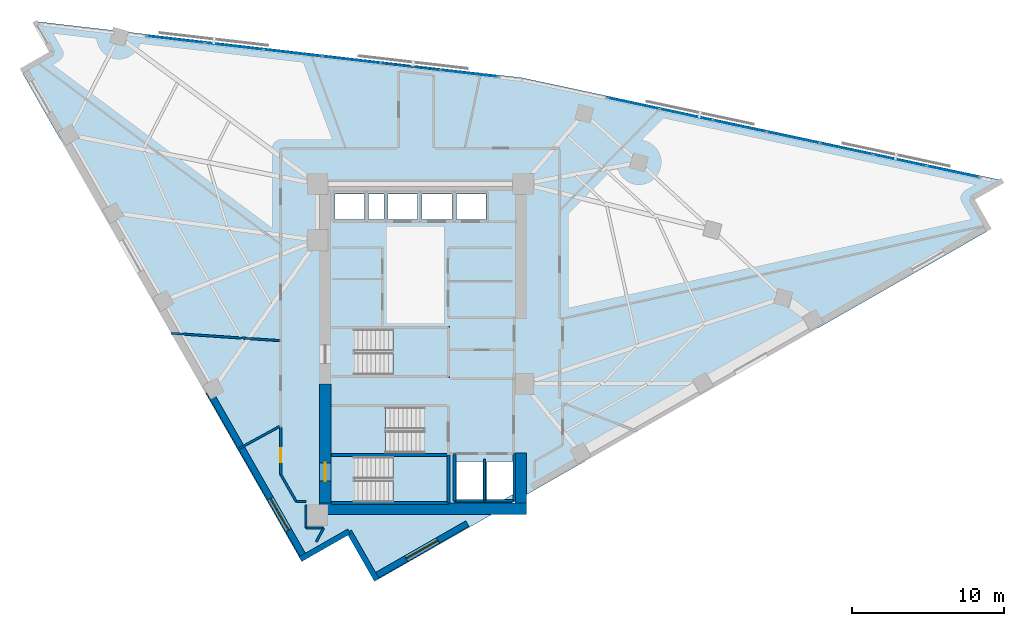
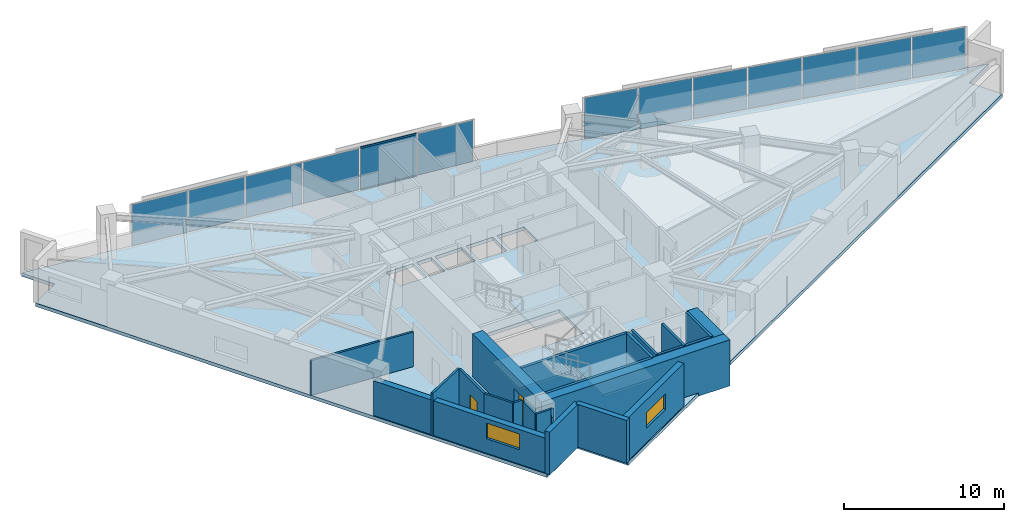
# One storey, part 8 of 13: 22 walls, 13 plates, 4 slabs, 2 doors, 2 members, 2 windows, 4 openings, 5 elements without a shape of their own.
"""IFC4 building model written with IfcOpenShell, lengths in metres."""

import ifcopenshell
import ifcopenshell.guid

model = None  # the IFC model being written
_history = None  # IfcOwnerHistory: only IFC2X3 demands one
_inside = {}  # id of a spatial element -> (the spatial element, [elements in it])
_under = {}  # id of a project, library or spatial element -> (it, [spatial elements below it])
_declared = {}  # id of a project -> (the project, [libraries it declares])
_typed = {}  # id of a type object -> (the type object, [elements of that type])
_made_of = {}  # id of a material, layer set ... -> (it, [elements and type objects made of it])


def new_model(schema):
    """Start an empty IFC model of exactly this schema.

    Asked for "IFC4X3", IfcOpenShell would pick the latest addendum, in which some entities
    have other attributes; the version numbers below select the first issue.
    IFC2X3 requires an IfcOwnerHistory on every rooted entity: one is made here for all.
    """
    global model, _history
    if schema == "IFC4X3":
        model = ifcopenshell.file(schema_version=(4, 3, 0, 0))
    else:
        model = ifcopenshell.file(schema=schema)
    _inside.clear()
    _under.clear()
    _declared.clear()
    _typed.clear()
    _made_of.clear()
    _history = None
    if model.schema == "IFC2X3":
        org = make("IfcOrganization", Name="unknown")
        user = make(
            "IfcPersonAndOrganization",
            ThePerson=make("IfcPerson", FamilyName="unknown"),
            TheOrganization=org,
        )
        app = make(
            "IfcApplication",
            ApplicationDeveloper=org,
            Version="unknown",
            ApplicationFullName="unknown",
            ApplicationIdentifier="unknown",
        )
        _history = make(
            "IfcOwnerHistory",
            OwningUser=user,
            OwningApplication=app,
            ChangeAction="ADDED",
            CreationDate=0,
        )
    return model


def make(cls, **values):
    """One entity of the class cls with the attributes given. An attribute that is None is left unset."""
    return model.create_entity(
        cls, **{name: value for name, value in values.items() if value is not None}
    )


def rooted(cls, **values):
    """An entity with a GlobalId (a new one), such as an element, a storey or a relation."""
    return make(cls, GlobalId=ifcopenshell.guid.new(), OwnerHistory=_history, **values)


def si_unit(unit_type, name, prefix=None):
    """IfcSIUnit, for example si_unit("LENGTHUNIT", "METRE", prefix="MILLI")."""
    return make("IfcSIUnit", UnitType=unit_type, Prefix=prefix, Name=name)


def assignment(units):
    """IfcUnitAssignment: the units of a project."""
    return None if units is None else make("IfcUnitAssignment", Units=units)


def point(xyz):
    """IfcCartesianPoint."""
    return None if xyz is None else make("IfcCartesianPoint", Coordinates=xyz)


def direction(xyz):
    """IfcDirection."""
    return None if xyz is None else make("IfcDirection", DirectionRatios=xyz)


def frame(location, z_axis=None, x_axis=None):
    """IfcAxis2Placement3D, a coordinate frame: its origin and axes. An axis left out is left unset."""
    return make(
        "IfcAxis2Placement3D",
        Location=point(location),
        Axis=direction(z_axis),
        RefDirection=direction(x_axis),
    )


def frame_2d(location, x_axis=None):
    """IfcAxis2Placement2D, a coordinate frame in the plane: its origin and x axis."""
    return make(
        "IfcAxis2Placement2D", Location=point(location), RefDirection=direction(x_axis)
    )


def origin():
    """The frame at (0, 0, 0) with its axes left unset."""
    return frame((0.0, 0.0, 0.0))


def origin_2d():
    """The frame at (0, 0) in the plane with its x axis left unset."""
    return frame_2d((0.0, 0.0))


def place(relative_to, where):
    """IfcLocalPlacement: puts the frame where relative to a parent placement (None: the world)."""
    return make(
        "IfcLocalPlacement", PlacementRelTo=relative_to, RelativePlacement=where
    )


def context(
    kind, dimensions, precision=None, world=None, true_north=None, identifier=None
):
    """IfcGeometricRepresentationContext, for example the 3D "Model" context."""
    return make(
        "IfcGeometricRepresentationContext",
        ContextIdentifier=identifier,
        ContextType=kind,
        CoordinateSpaceDimension=dimensions,
        Precision=precision,
        WorldCoordinateSystem=world,
        TrueNorth=true_north,
    )


def subcontext(parent, identifier, kind, view, scale=None):
    """IfcGeometricRepresentationSubContext, for example "Body" below "Model"."""
    return make(
        "IfcGeometricRepresentationSubContext",
        ContextIdentifier=identifier,
        ContextType=kind,
        ParentContext=parent,
        TargetScale=scale,
        TargetView=view,
    )


def project(units=None, contexts=None):
    """IfcProject with its units and contexts."""
    return rooted(
        "IfcProject",
        Name="project",
        RepresentationContexts=contexts,
        UnitsInContext=assignment(units),
    )


def spatial(cls, under=None, at=None, **own):
    """A site, building, storey or space (cls), placed at a placement, below another one or the project."""
    s = rooted(cls, ObjectPlacement=at, **own)
    if under is not None:
        _under.setdefault(under.id(), (under, []))[1].append(s)
    return s


def polyline(points):
    """IfcPolyline through the points."""
    return make("IfcPolyline", Points=[point(p) for p in points])


def profile(cls, at=None, kind="AREA", **sizes):
    """A parametric profile (cls). Its sizes go by their IFC names, for example OverallWidth=200.0."""
    return make(cls, ProfileType=kind, Position=at, **sizes)


def rectangle(**sizes):
    """IfcRectangleProfileDef."""
    return profile("IfcRectangleProfileDef", **sizes)


def hollow_rectangle(**sizes):
    """IfcRectangleHollowProfileDef."""
    return profile("IfcRectangleHollowProfileDef", **sizes)


def outline(outer, holes=None, kind="AREA"):
    """IfcArbitraryClosedProfileDef: a profile drawn as a closed curve; with holes, ...WithVoids."""
    if holes is None:
        return make("IfcArbitraryClosedProfileDef", ProfileType=kind, OuterCurve=outer)
    return make(
        "IfcArbitraryProfileDefWithVoids",
        ProfileType=kind,
        OuterCurve=outer,
        InnerCurves=holes,
    )


def extrude(swept, where, along, depth):
    """IfcExtrudedAreaSolid: the profile swept, set in the frame where, extruded along a direction by depth."""
    return make(
        "IfcExtrudedAreaSolid",
        SweptArea=swept,
        Position=where,
        ExtrudedDirection=direction(along),
        Depth=depth,
    )


def shape(context_of_items, identifier, shape_type, items):
    """IfcShapeRepresentation: the items that make up one representation, for example the "Body"."""
    return make(
        "IfcShapeRepresentation",
        ContextOfItems=context_of_items,
        RepresentationIdentifier=identifier,
        RepresentationType=shape_type,
        Items=items,
    )


def material(Name=None, Category=None):
    """IfcMaterial."""
    return make("IfcMaterial", Name=Name, Category=Category)


def layer(
    of_material, thickness, ventilated=None, Name=None, Category=None, Priority=None
):
    """IfcMaterialLayer: one layer of a wall or slab, of a material (None: an air gap)."""
    return make(
        "IfcMaterialLayer",
        Material=of_material,
        LayerThickness=thickness,
        IsVentilated=ventilated,
        Name=Name,
        Category=Category,
        Priority=Priority,
    )


def layer_set(layers, Name=None):
    """IfcMaterialLayerSet."""
    return make("IfcMaterialLayerSet", MaterialLayers=layers, LayerSetName=Name)


def material_profile(
    of_material, cross_section, Name=None, Category=None, Priority=None
):
    """IfcMaterialProfile: a cross section and its material."""
    return make(
        "IfcMaterialProfile",
        Name=Name,
        Material=of_material,
        Profile=cross_section,
        Priority=Priority,
        Category=Category,
    )


def profile_set(profiles, Name=None, composite=None):
    """IfcMaterialProfileSet."""
    return make(
        "IfcMaterialProfileSet",
        Name=Name,
        MaterialProfiles=profiles,
        CompositeProfile=composite,
    )


def made_of(thing, what):
    """Note that an element or type object is made of a material, layer set ...; save() writes the relation."""
    if what is not None:
        _made_of.setdefault(what.id(), (what, []))[1].append(thing)
    return thing


def type_object(cls, material=None, **own):
    """A type object (cls), such as IfcWallType, which elements share."""
    return made_of(rooted(cls, **own), material)


def element(
    cls,
    number,
    at=None,
    inside=None,
    cuts=None,
    type_object=None,
    material=None,
    context=None,
    identifier="Body",
    shape_type=None,
    held_by="IfcProductDefinitionShape",
    body=None,
    shapes=None,
    **own,
):
    """One element of the class cls, such as IfcWall. Its Tag is "e" and its number.

    at: its placement. inside: the storey or other place that contains it. cuts: it is an
    opening in that element (IfcRelVoidsElement). A single representation is given by context,
    identifier, shape_type and body (its items); several are given by shapes. held_by: the class
    of the entity that holds the representations. save() writes the other relations.
    """
    e = rooted(cls, Tag="e%d" % number, ObjectPlacement=at, **own)
    if body is not None:
        shapes = [shape(context, identifier, shape_type, body)]
    if shapes is not None:
        e.Representation = make(held_by, Representations=shapes)
    if inside is not None:
        _inside.setdefault(inside.id(), (inside, []))[1].append(e)
    if cuts is not None:
        rooted(
            "IfcRelVoidsElement", RelatingBuildingElement=cuts, RelatedOpeningElement=e
        )
    if type_object is not None:
        _typed.setdefault(type_object.id(), (type_object, []))[1].append(e)
    return made_of(e, material)


def fill(opening, filler):
    """IfcRelFillsElement: the door or window that sits in an opening."""
    return rooted(
        "IfcRelFillsElement",
        RelatingOpeningElement=opening,
        RelatedBuildingElement=filler,
    )


def aggregate(whole, parts):
    """IfcRelAggregates: a whole, such as a stair, and the parts it consists of."""
    return rooted("IfcRelAggregates", RelatingObject=whole, RelatedObjects=parts)


def save(model, path):
    """Write the relations noted so far, then the file.

    IfcRelAggregates (storeys below a building ...), IfcRelContainedInSpatialStructure (elements
    in a storey), IfcRelDefinesByType, IfcRelAssociatesMaterial and IfcRelDeclares: one each for
    every whole, place, type object, material and project.
    """
    for whole, parts in _under.values():
        aggregate(whole, parts)
    for where, things in _inside.values():
        rooted(
            "IfcRelContainedInSpatialStructure",
            RelatedElements=things,
            RelatingStructure=where,
        )
    for kind, things in _typed.values():
        rooted("IfcRelDefinesByType", RelatedObjects=things, RelatingType=kind)
    for what, things in _made_of.values():
        rooted("IfcRelAssociatesMaterial", RelatedObjects=things, RelatingMaterial=what)
    for by, libraries in _declared.values():
        rooted("IfcRelDeclares", RelatingContext=by, RelatedDefinitions=libraries)
    model.write(path)


model = new_model("IFC4")

# Units and contexts
model_context = context("Model", 3, precision=1e-05, world=origin(), true_north=direction((0.0, 1.0)))
body_context = subcontext(model_context, "Body", "Model", "MODEL_VIEW")
ifc_project = project(units=[si_unit("LENGTHUNIT", "METRE"), si_unit("AREAUNIT", "SQUARE_METRE"), si_unit("VOLUMEUNIT", "CUBIC_METRE"), si_unit("PLANEANGLEUNIT", "RADIAN"), si_unit("MASSUNIT", "GRAM", prefix="KILO")], contexts=[model_context])

# Site, building, storey
site_placement = place(None, origin())
site = spatial("IfcSite", under=ifc_project, at=site_placement, CompositionType="ELEMENT")
building_placement = place(site_placement, origin())
building = spatial("IfcBuilding", under=site, at=building_placement, Name="Narakoshi Arena Tower", CompositionType="ELEMENT")
storey_placement = place(building_placement, frame((0.0, 0.0, 222.02001953125)))
storey = spatial("IfcBuildingStorey", under=building, at=storey_placement, Name="L60", CompositionType="ELEMENT", Elevation=222.02001953125)

# Curtain wall, members
ifc_material_1 = material(Name="Anodised bronze aluminium 6063-T6", Category="aluminium")
curtain_wall_type = type_object("IfcCurtainWallType", Name="CW-HYP-MID", PredefinedType="NOTDEFINED", material=ifc_material_1)
curtain_wall_1_placement = place(storey_placement, origin())
curtain_wall_1 = element("IfcCurtainWall", 1, at=curtain_wall_1_placement, inside=storey, type_object=curtain_wall_type, Name="L60 Folded Hypotenuse Curtain Wall 2-1", PredefinedType="NOTDEFINED")
ifc_material_profile = material_profile(ifc_material_1, hollow_rectangle(XDim=0.06494140625, YDim=0.1298828125, WallThickness=0.00390625, OuterFilletRadius=0.0048828125, at=origin_2d()), Name="TRN130x65x4")
ifc_profile_set = profile_set([ifc_material_profile], Name="Anodised bronze aluminium 6063-T6")
member_type = type_object("IfcMemberType", Name="MEM-TRN-130", PredefinedType="USERDEFINED", material=ifc_profile_set)
member_1_placement = place(storey_placement, frame((80.032470703125, 64.002685546875, 0.032470703125), z_axis=(-0.993360986362, 0.115038909828, 0.0), x_axis=(-0.115038909828, -0.993360986362, 0.0)))
member_1 = element("IfcMember", 2, at=member_1_placement, type_object=member_type, Name="CW-02 transom 2.1", ObjectType="TRANSOM", PredefinedType="USERDEFINED", context=body_context, shape_type="SweptSolid", body=[
    extrude(hollow_rectangle(XDim=0.06494140625, YDim=0.1298828125, WallThickness=0.00390625, OuterFilletRadius=0.0048828125, at=origin_2d()), origin(), (0.0, 0.0, 1.0), 3.820068359375),
])
member_2_placement = place(storey_placement, frame((80.032470703125, 64.002685546875, 3.2275390625), z_axis=(-0.993360986362, 0.115038909828, 0.0), x_axis=(-0.115038909828, -0.993360986362, 0.0)))
member_2 = element("IfcMember", 3, at=member_2_placement, type_object=member_type, Name="CW-02 transom 2.2", ObjectType="TRANSOM", PredefinedType="USERDEFINED", context=body_context, shape_type="SweptSolid", body=[
    extrude(hollow_rectangle(XDim=0.06494140625, YDim=0.1298828125, WallThickness=0.00390625, OuterFilletRadius=0.0048828125, at=origin_2d()), origin(), (0.0, 0.0, 1.0), 3.820068359375),
])

# Curtain wall, plates
curtain_wall_2_placement = place(storey_placement, origin())
curtain_wall_2 = element("IfcCurtainWall", 4, at=curtain_wall_2_placement, inside=storey, type_object=curtain_wall_type, Name="L60 Folded Hypotenuse Curtain Wall 1-1", PredefinedType="NOTDEFINED")
ifc_material_2 = material(Name="Bronze-tinted low-E laminated glass", Category="glass")
ifc_layer_1 = layer(ifc_material_2, 0.0380859375)
ifc_layer_set_1 = layer_set([ifc_layer_1], Name="Bronze-tinted low-E laminated glass")
plate_type = type_object("IfcPlateType", Name="PLT-GLZ-38", PredefinedType="CURTAIN_PANEL", material=ifc_layer_set_1)
plate_1_placement = place(storey_placement, frame((113.835205078125, 57.3095703125, 0.06494140625), z_axis=(0.0, 0.0, 1.0), x_axis=(-0.977937185914, 0.208899163248, 0.0)))
plate_1 = element("IfcPlate", 5, at=plate_1_placement, type_object=plate_type, Name="CW-02 panel 1.1", PredefinedType="CURTAIN_PANEL", context=body_context, shape_type="SweptSolid", body=[
    extrude(rectangle(XDim=3.48095703125, YDim=0.0380859375, at=origin_2d()), origin(), (0.0, 0.0, 1.0), 3.1298828125),
])
plate_2_placement = place(storey_placement, frame((110.33935546875, 58.056396484375, 0.06494140625), z_axis=(0.0, 0.0, 1.0), x_axis=(-0.977937185914, 0.208899163248, 0.0)))
plate_2 = element("IfcPlate", 6, at=plate_2_placement, type_object=plate_type, Name="CW-02 panel 2.1", PredefinedType="CURTAIN_PANEL", context=body_context, shape_type="SweptSolid", body=[
    extrude(rectangle(XDim=3.518310546875, YDim=0.0380859375, at=origin_2d()), origin(), (0.0, 0.0, 1.0), 3.1298828125),
])
plate_3_placement = place(storey_placement, frame((106.8251953125, 58.806884765625, 0.06494140625), z_axis=(0.0, 0.0, 1.0), x_axis=(-0.977937185914, 0.208899163248, 0.0)))
plate_3 = element("IfcPlate", 7, at=plate_3_placement, type_object=plate_type, Name="CW-02 panel 3.1", PredefinedType="CURTAIN_PANEL", context=body_context, shape_type="SweptSolid", body=[
    extrude(rectangle(XDim=3.518310546875, YDim=0.0380859375, at=origin_2d()), origin(), (0.0, 0.0, 1.0), 3.1298828125),
])
plate_4_placement = place(storey_placement, frame((103.31103515625, 59.5576171875, 0.06494140625), z_axis=(0.0, 0.0, 1.0), x_axis=(-0.977937185914, 0.208899163248, 0.0)))
plate_4 = element("IfcPlate", 8, at=plate_4_placement, type_object=plate_type, Name="CW-02 panel 4.1", PredefinedType="CURTAIN_PANEL", context=body_context, shape_type="SweptSolid", body=[
    extrude(rectangle(XDim=3.518310546875, YDim=0.0380859375, at=origin_2d()), origin(), (0.0, 0.0, 1.0), 3.1298828125),
])
plate_5_placement = place(storey_placement, frame((99.796875, 60.308349609375, 0.06494140625), z_axis=(0.0, 0.0, 1.0), x_axis=(-0.977937185914, 0.208899163248, 0.0)))
plate_5 = element("IfcPlate", 9, at=plate_5_placement, type_object=plate_type, Name="CW-02 panel 5.1", PredefinedType="CURTAIN_PANEL", context=body_context, shape_type="SweptSolid", body=[
    extrude(rectangle(XDim=3.518310546875, YDim=0.0380859375, at=origin_2d()), origin(), (0.0, 0.0, 1.0), 3.1298828125),
])
plate_6_placement = place(storey_placement, frame((96.282958984375, 61.058837890625, 0.06494140625), z_axis=(0.0, 0.0, 1.0), x_axis=(-0.977937185914, 0.208899163248, 0.0)))
plate_6 = element("IfcPlate", 10, at=plate_6_placement, type_object=plate_type, Name="CW-02 panel 6.1", PredefinedType="CURTAIN_PANEL", context=body_context, shape_type="SweptSolid", body=[
    extrude(rectangle(XDim=3.518310546875, YDim=0.0380859375, at=origin_2d()), origin(), (0.0, 0.0, 1.0), 3.1298828125),
])
plate_7_placement = place(storey_placement, frame((92.787109375, 61.8056640625, 0.06494140625), z_axis=(0.0, 0.0, 1.0), x_axis=(-0.977937185914, 0.208899163248, 0.0)))
plate_7 = element("IfcPlate", 11, at=plate_7_placement, type_object=plate_type, Name="CW-02 panel 7.1", PredefinedType="CURTAIN_PANEL", context=body_context, shape_type="SweptSolid", body=[
    extrude(rectangle(XDim=3.48095703125, YDim=0.0380859375, at=origin_2d()), origin(), (0.0, 0.0, 1.0), 3.1298828125),
])
aggregate(curtain_wall_2, [plate_1, plate_2, plate_3, plate_4, plate_5, plate_6, plate_7])

# Plate
plate_8_placement = place(storey_placement, frame((81.985595703125, 63.776611328125, 0.06494140625), z_axis=(0.0, 0.0, 1.0), x_axis=(-0.993364183774, 0.115011296816, 0.0)))
plate_8 = element("IfcPlate", 12, at=plate_8_placement, type_object=plate_type, Name="CW-02 panel 1.1", PredefinedType="CURTAIN_PANEL", context=body_context, shape_type="SweptSolid", body=[
    extrude(rectangle(XDim=3.782470703125, YDim=0.0380859375, at=origin_2d()), origin(), (0.0, 0.0, 1.0), 3.1298828125),
])

plate_9_placement = place(storey_placement, frame((78.13525390625, 64.222412109375, 0.06494140625), z_axis=(0.0, 0.0, 1.0), x_axis=(-0.993364183774, 0.115011296816, 0.0)))
plate_9 = element("IfcPlate", 13, at=plate_9_placement, type_object=plate_type, Name="CW-02 panel 2.1", PredefinedType="CURTAIN_PANEL", context=body_context, shape_type="SweptSolid", body=[
    extrude(rectangle(XDim=3.820068359375, YDim=0.0380859375, at=origin_2d()), origin(), (0.0, 0.0, 1.0), 3.1298828125),
])

plate_10_placement = place(storey_placement, frame((74.26611328125, 64.67041015625, 0.06494140625), z_axis=(0.0, 0.0, 1.0), x_axis=(-0.993364183774, 0.115011296816, 0.0)))
plate_10 = element("IfcPlate", 14, at=plate_10_placement, type_object=plate_type, Name="CW-02 panel 3.1", PredefinedType="CURTAIN_PANEL", context=body_context, shape_type="SweptSolid", body=[
    extrude(rectangle(XDim=3.820068359375, YDim=0.0380859375, at=origin_2d()), origin(), (0.0, 0.0, 1.0), 3.1298828125),
])

plate_11_placement = place(storey_placement, frame((70.39697265625, 65.118408203125, 0.06494140625), z_axis=(0.0, 0.0, 1.0), x_axis=(-0.993364183774, 0.115011296816, 0.0)))
plate_11 = element("IfcPlate", 15, at=plate_11_placement, type_object=plate_type, Name="CW-02 panel 4.1", PredefinedType="CURTAIN_PANEL", context=body_context, shape_type="SweptSolid", body=[
    extrude(rectangle(XDim=3.820068359375, YDim=0.0380859375, at=origin_2d()), origin(), (0.0, 0.0, 1.0), 3.1298828125),
])

plate_12_placement = place(storey_placement, frame((66.52783203125, 65.56640625, 0.06494140625), z_axis=(0.0, 0.0, 1.0), x_axis=(-0.993364183774, 0.115011296816, 0.0)))
plate_12 = element("IfcPlate", 16, at=plate_12_placement, type_object=plate_type, Name="CW-02 panel 5.1", PredefinedType="CURTAIN_PANEL", context=body_context, shape_type="SweptSolid", body=[
    extrude(rectangle(XDim=3.820068359375, YDim=0.0380859375, at=origin_2d()), origin(), (0.0, 0.0, 1.0), 3.1298828125),
])

plate_13_placement = place(storey_placement, frame((62.67724609375, 66.01220703125, 0.06494140625), z_axis=(0.0, 0.0, 1.0), x_axis=(-0.993364183774, 0.115011296816, 0.0)))
plate_13 = element("IfcPlate", 17, at=plate_13_placement, type_object=plate_type, Name="CW-02 panel 6.1", PredefinedType="CURTAIN_PANEL", context=body_context, shape_type="SweptSolid", body=[
    extrude(rectangle(XDim=3.782470703125, YDim=0.0380859375, at=origin_2d()), origin(), (0.0, 0.0, 1.0), 3.1298828125),
])

aggregate(curtain_wall_1, [plate_8, member_1, member_2, plate_9, plate_10, plate_11, plate_12, plate_13])

# Stair, slab
ifc_material_3 = material(Name="Concrete C45/55", Category="concrete")
stair_type = type_object("IfcStairType", Name="STR-CORE-352", PredefinedType="TWO_STRAIGHT_RUN_STAIR", material=ifc_material_3)
stair_1_placement = place(storey_placement, origin())
stair_1 = element("IfcStair", 18, at=stair_1_placement, inside=storey, type_object=stair_type, Name="L60 Core Escape Stair ST1", PredefinedType="TWO_STRAIGHT_RUN_STAIR")
ifc_layer_2 = layer(ifc_material_3, 0.18994140625)
ifc_layer_set_2 = layer_set([ifc_layer_2], Name="Concrete C45/55")
slab_type_1 = type_object("IfcSlabType", Name="SLB-LND-190", PredefinedType="LANDING", material=ifc_layer_set_2)
slab_1_placement = place(storey_placement, frame((0.0, 0.0, 1.570068359375)))
slab_1 = element("IfcSlab", 19, at=slab_1_placement, type_object=slab_type_1, Name="ST1 landing 1", PredefinedType="LANDING", context=body_context, shape_type="SweptSolid", body=[
    extrude(outline(polyline([(76.965087890625, 35.3701171875), (80.679931640625, 35.3701171875), (80.679931640625, 38.72998046875), (76.965087890625, 38.72998046875), (76.965087890625, 35.3701171875)])), origin(), (0.0, 0.0, 1.0), 0.18994140625),
])
aggregate(stair_1, [slab_1])

stair_2_placement = place(storey_placement, origin())
stair_2 = element("IfcStair", 20, at=stair_2_placement, inside=storey, type_object=stair_type, Name="L60 Core Escape Stair ST2", PredefinedType="TWO_STRAIGHT_RUN_STAIR")
slab_2_placement = place(storey_placement, frame((0.0, 0.0, 1.570068359375)))
slab_2 = element("IfcSlab", 21, at=slab_2_placement, type_object=slab_type_1, Name="ST2 landing 1", PredefinedType="LANDING", context=body_context, shape_type="SweptSolid", body=[
    extrude(outline(polyline([(72.77001953125, 38.6201171875), (76.485107421875, 38.6201171875), (76.485107421875, 41.97998046875), (72.77001953125, 41.97998046875), (72.77001953125, 38.6201171875)])), origin(), (0.0, 0.0, 1.0), 0.18994140625),
])
aggregate(stair_2, [slab_2])

stair_3_placement = place(storey_placement, origin())
stair_3 = element("IfcStair", 22, at=stair_3_placement, inside=storey, type_object=stair_type, Name="L60 Core Escape Stair ST3", PredefinedType="TWO_STRAIGHT_RUN_STAIR")
slab_3_placement = place(storey_placement, frame((0.0, 0.0, 1.570068359375)))
slab_3 = element("IfcSlab", 23, at=slab_3_placement, type_object=slab_type_1, Name="ST3 landing 1", PredefinedType="LANDING", context=body_context, shape_type="SweptSolid", body=[
    extrude(outline(polyline([(76.965087890625, 43.77001953125), (80.679931640625, 43.77001953125), (80.679931640625, 47.1298828125), (76.965087890625, 47.1298828125), (76.965087890625, 43.77001953125)])), origin(), (0.0, 0.0, 1.0), 0.18994140625),
])
aggregate(stair_3, [slab_3])

# Slab
ifc_material_4 = material(Name="Concrete C50/60", Category="concrete")
ifc_layer_3 = layer(ifc_material_4, 0.260009765625)
ifc_layer_set_3 = layer_set([ifc_layer_3], Name="Concrete C50/60")
slab_type_2 = type_object("IfcSlabType", Name="SLB-SKY-260", PredefinedType="FLOOR", material=ifc_layer_set_3)
slab_4_placement = place(storey_placement, frame((0.0, 0.0, -0.260009765625)))
element("IfcSlab", 24, at=slab_4_placement, inside=storey, type_object=slab_type_2, Name="L60 Structural Floor Slab", PredefinedType="FLOOR", context=body_context, shape_type="SweptSolid", body=[
    extrude(outline(polyline([(75.915771484375, 30.43017578125), (116.209716796875, 53.460205078125), (115.01904296875, 55.54345703125), (117.1025390625, 56.734375), (85.442626953125, 63.497314453125), (53.408203125, 67.2060546875), (54.59912109375, 65.122802734375), (52.515625, 63.931884765625), (70.87841796875, 31.803466796875), (74.083740234375, 33.635498046875), (75.915771484375, 30.43017578125)]), holes=[polyline([(80.5, 35.550048828125), (74.47998046875, 35.550048828125), (74.47998046875, 38.550048828125), (80.5, 38.550048828125), (80.5, 35.550048828125)]), polyline([(82.89990234375, 35.75), (81.14990234375, 35.75), (81.14990234375, 38.25), (82.89990234375, 38.25), (82.89990234375, 35.75)]), polyline([(84.89990234375, 36.08349609375), (84.316650390625, 35.75), (83.14990234375, 35.75), (83.14990234375, 38.25), (84.89990234375, 38.25), (84.89990234375, 36.08349609375)]), polyline([(72.949951171875, 38.800048828125), (72.949951171875, 41.800048828125), (78.969970703125, 41.800048828125), (78.969970703125, 38.800048828125), (72.949951171875, 38.800048828125)]), polyline([(74.47998046875, 43.949951171875), (74.47998046875, 46.949951171875), (80.5, 46.949951171875), (80.5, 43.949951171875), (74.47998046875, 43.949951171875)]), polyline([(75.10009765625, 54.14990234375), (73.14990234375, 54.14990234375), (73.14990234375, 55.85009765625), (75.10009765625, 55.85009765625), (75.10009765625, 54.14990234375)]), polyline([(76.39990234375, 54.14990234375), (75.35009765625, 54.14990234375), (75.35009765625, 55.85009765625), (76.39990234375, 55.85009765625), (76.39990234375, 54.14990234375)]), polyline([(78.60009765625, 54.14990234375), (76.64990234375, 54.14990234375), (76.64990234375, 55.85009765625), (78.60009765625, 55.85009765625), (78.60009765625, 54.14990234375)]), polyline([(78.89990234375, 54.14990234375), (78.89990234375, 55.85009765625), (80.85009765625, 55.85009765625), (80.85009765625, 54.14990234375), (78.89990234375, 54.14990234375)]), polyline([(81.14990234375, 54.14990234375), (81.14990234375, 55.85009765625), (83.10009765625, 55.85009765625), (83.10009765625, 54.14990234375), (81.14990234375, 54.14990234375)])]), origin(), (0.0, 0.0, 1.0), 0.260009765625),
])

# Wall, opening, door
ifc_layer_4 = layer(ifc_material_4, 0.75)
ifc_layer_set_4 = layer_set([ifc_layer_4], Name="Concrete C50/60")
wall_type_1 = type_object("IfcWallType", Name="WL-CORE-750", PredefinedType="SHEAR", material=ifc_layer_set_4)
wall_1_placement = place(storey_placement, frame((72.52490234375, 35.5, -0.260009765625), z_axis=(0.0, 0.0, 1.0), x_axis=(0.0, 1.0, 0.0)))
wall_1 = element("IfcWall", 25, at=wall_1_placement, inside=storey, type_object=wall_type_1, Name="L60 Central Core Shear Wall CW-APX-W", PredefinedType="SHEAR", context=body_context, shape_type="SweptSolid", body=[
    extrude(rectangle(XDim=7.85009765625, YDim=0.75, at=frame_2d((3.925048828125, 0.0))), origin(), (0.0, 0.0, 1.0), 3.52001953125),
])
opening_1_placement = place(wall_1_placement, frame((1.449951171875, 0.0, 0.260009765625)))
opening_1 = element("IfcOpeningElement", 26, at=opening_1_placement, cuts=wall_1, Name="Opening D-03", PredefinedType="OPENING", context=body_context, shape_type="SweptSolid", body=[
    extrude(rectangle(XDim=1.199951171875, YDim=2.199951171875, at=frame_2d((0.60009765625, 1.10009765625))), frame((0.0, 0.385009765625, 0.0), z_axis=(0.0, -1.0, 0.0), x_axis=(1.0, 0.0, 0.0)), (0.0, 0.0, 1.0), 0.77001953125),
])
ifc_material_5 = material(Name="Painted galvanized steel", Category="steel")
door_type_1 = type_object("IfcDoorType", Name="DR-STR-1200", OperationType="NOTDEFINED", PredefinedType="USERDEFINED", material=ifc_material_5)
door_1_placement = place(opening_1_placement, frame((1.199951171875, 0.0, 0.0), z_axis=(0.0, 0.0, 1.0), x_axis=(-1.0, 0.0, 0.0)))
door_1 = element("IfcDoor", 27, at=door_1_placement, inside=storey, type_object=door_type_1, Name="DR-L60-001", ObjectType="EXITDOOR", OperationType="SINGLE_SWING_LEFT", OverallHeight=2.199951171875, OverallWidth=1.199951171875, PredefinedType="USERDEFINED", context=body_context, shape_type="SweptSolid", body=[
    extrude(rectangle(XDim=1.199951171875, YDim=2.199951171875, at=frame_2d((0.60009765625, 1.10009765625))), frame((0.0, 0.02490234375, 0.0), z_axis=(0.0, -1.0, 0.0), x_axis=(1.0, 0.0, 0.0)), (0.0, 0.0, 1.0), 0.050048828125),
])
fill(opening_1, door_1)

# Walls
wall_2_placement = place(storey_placement, frame((72.14990234375, 35.125, -0.260009765625), z_axis=(0.0, 0.0, 1.0), x_axis=(1.0, 0.0, 0.0)))
element("IfcWall", 28, at=wall_2_placement, inside=storey, type_object=wall_type_1, Name="L60 Central Core Shear Wall CW-APX-S", PredefinedType="SHEAR", context=body_context, shape_type="SweptSolid", body=[
    extrude(rectangle(XDim=13.60009765625, YDim=0.75, at=frame_2d((6.800048828125, 0.0))), origin(), (0.0, 0.0, 1.0), 3.52001953125),
])
wall_3_placement = place(storey_placement, frame((85.375, 35.5, -0.260009765625), z_axis=(0.0, 0.0, 1.0), x_axis=(0.0, 1.0, 0.0)))
element("IfcWall", 29, at=wall_3_placement, inside=storey, type_object=wall_type_1, Name="L60 Central Core Shear Wall CW-APX-E", PredefinedType="SHEAR", context=body_context, shape_type="SweptSolid", body=[
    extrude(rectangle(XDim=3.300048828125, YDim=0.75, at=frame_2d((1.64990234375, 0.0))), origin(), (0.0, 0.0, 1.0), 3.52001953125),
])

# Wall, opening, window
ifc_material_6 = material(Name="Precast concrete C45/55", Category="concrete")
ifc_layer_5 = layer(ifc_material_6, 0.419921875)
ifc_layer_set_5 = layer_set([ifc_layer_5], Name="Precast concrete C45/55")
wall_type_2 = type_object("IfcWallType", Name="WL-POD-420", PredefinedType="SOLIDWALL", material=ifc_layer_set_5)
wall_4_placement = place(storey_placement, frame((75.779296875, 30.6689453125, 0.0), z_axis=(0.0, 0.0, 1.0), x_axis=(0.868213158215, 0.496191406519, 0.0)))
wall_4 = element("IfcWall", 30, at=wall_4_placement, inside=storey, type_object=wall_type_2, Name="L60 Architectural Concrete Facade Wall LEGA-1", PredefinedType="SOLIDWALL", context=body_context, shape_type="SweptSolid", body=[
    extrude(rectangle(XDim=7.015380859375, YDim=0.419921875, at=frame_2d((3.5078125, 0.0))), origin(), (0.0, 0.0, 1.0), 3.260009765625),
])
opening_2_placement = place(wall_4_placement, frame((2.376708984375, 0.0, 1.10009765625)))
opening_2 = element("IfcOpeningElement", 31, at=opening_2_placement, cuts=wall_4, Name="Opening WN-04", PredefinedType="OPENING", context=body_context, shape_type="SweptSolid", body=[
    extrude(rectangle(XDim=2.39990234375, YDim=1.199951171875, at=frame_2d((1.199951171875, 0.60009765625))), frame((0.0, 0.219970703125, 0.0), z_axis=(0.0, -1.0, 0.0), x_axis=(1.0, 0.0, 0.0)), (0.0, 0.0, 1.0), 0.43994140625),
])
window_type = type_object("IfcWindowType", Name="WIN-SLT-24x12", PartitioningType="SINGLE_PANEL", PredefinedType="WINDOW", material=ifc_material_2)
window_1_placement = place(opening_2_placement, origin())
window_1 = element("IfcWindow", 32, at=window_1_placement, inside=storey, type_object=window_type, Name="L60 LEGA1 Horizontal Slot Window 1", OverallHeight=1.199951171875, OverallWidth=2.39990234375, PartitioningType="SINGLE_PANEL", PredefinedType="WINDOW", context=body_context, shape_type="SweptSolid", body=[
    extrude(rectangle(XDim=2.39990234375, YDim=1.199951171875, at=frame_2d((1.199951171875, 0.60009765625))), frame((0.0, 0.030029296875, 0.0), z_axis=(0.0, -1.0, 0.0), x_axis=(1.0, 0.0, 0.0)), (0.0, 0.0, 1.0), 0.06005859375),
])
fill(opening_2, window_1)

wall_5_placement = place(storey_placement, frame((64.873779296875, 42.863525390625, 0.0), z_axis=(0.0, 0.0, 1.0), x_axis=(0.49622043329, -0.868196568517, 0.0)))
wall_5 = element("IfcWall", 33, at=wall_5_placement, inside=storey, type_object=wall_type_2, Name="L60 Architectural Concrete Facade Wall LEGB-3", PredefinedType="SOLIDWALL", context=body_context, shape_type="SweptSolid", body=[
    extrude(rectangle(XDim=12.58203125, YDim=0.419921875, at=frame_2d((6.291015625, 0.0))), origin(), (0.0, 0.0, 1.0), 2.64501953125),
])
opening_3_placement = place(wall_5_placement, frame((8.135986328125, 0.0, 1.10009765625)))
opening_3 = element("IfcOpeningElement", 34, at=opening_3_placement, cuts=wall_5, Name="Opening WN-04", PredefinedType="OPENING", context=body_context, shape_type="SweptSolid", body=[
    extrude(rectangle(XDim=2.39990234375, YDim=1.199951171875, at=frame_2d((1.199951171875, 0.60009765625))), frame((0.0, 0.219970703125, 0.0), z_axis=(0.0, -1.0, 0.0), x_axis=(1.0, 0.0, 0.0)), (0.0, 0.0, 1.0), 0.43994140625),
])
window_2_placement = place(opening_3_placement, origin())
window_2 = element("IfcWindow", 35, at=window_2_placement, inside=storey, type_object=window_type, Name="L60 LEGB3 Horizontal Slot Window 1", OverallHeight=1.199951171875, OverallWidth=2.39990234375, PartitioningType="SINGLE_PANEL", PredefinedType="WINDOW", context=body_context, shape_type="SweptSolid", body=[
    extrude(rectangle(XDim=2.39990234375, YDim=1.199951171875, at=frame_2d((1.199951171875, 0.60009765625))), frame((0.0, 0.030029296875, 0.0), z_axis=(0.0, -1.0, 0.0), x_axis=(1.0, 0.0, 0.0)), (0.0, 0.0, 1.0), 0.06005859375),
])
fill(opening_3, window_2)

# Walls
for number, where, z_axis, x_axis, name in (
    (36, (70.87841796875, 31.803466796875, 0.0), (0.0, 0.0, 1.0), (0.868194304946, 0.496224393656, 0.0), "L60 Re-Entrant Corner Notch Wall NTA-1"),
    (37, (74.083740234375, 33.635498046875, 0.0), (0.0, 0.0, 1.0), (0.496224393656, -0.868194304946, 0.0), "L60 Re-Entrant Corner Notch Wall NTA-2"),
):
    element("IfcWall", number, at=place(storey_placement, frame(where, z_axis=z_axis, x_axis=x_axis)), inside=storey, type_object=wall_type_2, Name=name, PredefinedType="SOLIDWALL", context=body_context, shape_type="SweptSolid", body=[
        extrude(rectangle(XDim=3.69189453125, YDim=0.360107421875, at=frame_2d((1.845947265625, 0.0))), origin(), (0.0, 0.0, 1.0), 3.260009765625),
    ])
ifc_material_7 = material(Name="Concrete C40/50", Category="concrete")
ifc_layer_6 = layer(ifc_material_7, 0.280029296875)
ifc_layer_set_6 = layer_set([ifc_layer_6], Name="Concrete C40/50")
wall_type_3 = type_object("IfcWallType", Name="WL-RISER-280", PredefinedType="PLUMBINGWALL", material=ifc_layer_set_6)
wall_6_placement = place(storey_placement, frame((83.0, 35.64990234375, 0.0), z_axis=(0.0, 0.0, 1.0), x_axis=(0.0, 1.0, 0.0)))
element("IfcWall", 38, at=wall_6_placement, inside=storey, type_object=wall_type_3, Name="L60 Core Wall FF-DIV", PredefinedType="PLUMBINGWALL", context=body_context, shape_type="SweptSolid", body=[
    extrude(rectangle(XDim=2.75, YDim=0.159912109375, at=frame_2d((1.375, 0.0))), origin(), (0.0, 0.0, 1.0), 3.260009765625),
])
ifc_layer_7 = layer(ifc_material_4, 0.35009765625)
ifc_layer_set_7 = layer_set([ifc_layer_7], Name="Concrete C50/60")
wall_type_4 = type_object("IfcWallType", Name="WL-SHAFT-350", PredefinedType="SOLIDWALL", material=ifc_layer_set_7)
for number, where, z_axis, x_axis, name in (
    (39, (72.919921875, 35.52001953125, -0.260009765625), (0.0, 0.0, 1.0), (1.0, 0.0, 0.0), "L60 Core Wall ST1-S"),
    (40, (72.919921875, 38.675048828125, -0.260009765625), (0.0, 0.0, 1.0), (1.0, 0.0, 0.0), "L60 Core Wall ST12-DIV"),
):
    element("IfcWall", number, at=place(storey_placement, frame(where, z_axis=z_axis, x_axis=x_axis)), inside=storey, type_object=wall_type_4, Name=name, PredefinedType="SOLIDWALL", context=body_context, shape_type="SweptSolid", body=[
        extrude(rectangle(XDim=7.7001953125, YDim=0.199951171875, at=frame_2d((3.85009765625, 0.0))), origin(), (0.0, 0.0, 1.0), 3.52001953125),
    ])
wall_7_placement = place(storey_placement, frame((80.6201171875, 35.52001953125, -0.260009765625), z_axis=(0.0, 0.0, 1.0), x_axis=(0.0, 1.0, 0.0)))
element("IfcWall", 41, at=wall_7_placement, inside=storey, type_object=wall_type_4, Name="L60 Core Wall ST1-E", PredefinedType="SOLIDWALL", context=body_context, shape_type="SweptSolid", body=[
    extrude(rectangle(XDim=3.155029296875, YDim=0.199951171875, at=frame_2d((1.57763671875, 0.0))), origin(), (0.0, 0.0, 1.0), 3.52001953125),
])
for number, where, z_axis, x_axis, name in (
    (42, (84.949951171875, 35.64990234375, 0.0), (0.0, 0.0, 1.0), (0.0, 1.0, 0.0), "L60 Core Wall FF-E"),
    (43, (81.02001953125, 35.64990234375, 0.0), (0.0, 0.0, 1.0), (0.0, 1.0, 0.0), "L60 Core Wall FF-W"),
):
    element("IfcWall", number, at=place(storey_placement, frame(where, z_axis=z_axis, x_axis=x_axis)), inside=storey, type_object=wall_type_4, Name=name, PredefinedType="SOLIDWALL", context=body_context, shape_type="SweptSolid", body=[
        extrude(rectangle(XDim=3.10009765625, YDim=0.179931640625, at=frame_2d((1.550048828125, 0.0))), origin(), (0.0, 0.0, 1.0), 3.260009765625),
    ])
wall_8_placement = place(storey_placement, frame((81.02001953125, 35.64990234375, 0.0), z_axis=(0.0, 0.0, 1.0), x_axis=(1.0, 0.0, 0.0)))
element("IfcWall", 44, at=wall_8_placement, inside=storey, type_object=wall_type_4, Name="L60 Core Wall FF-S", PredefinedType="SOLIDWALL", context=body_context, shape_type="SweptSolid", body=[
    extrude(rectangle(XDim=3.929931640625, YDim=0.179931640625, at=frame_2d((1.96484375, 0.0))), origin(), (0.0, 0.0, 1.0), 3.260009765625),
])
ifc_material_8 = material(Name="Moisture-resistant cement-board partition")
ifc_layer_8 = layer(ifc_material_8, 0.14501953125)
ifc_layer_set_8 = layer_set([ifc_layer_8], Name="Moisture-resistant cement-board partition")
wall_type_5 = type_object("IfcWallType", Name="WL-WET-145", PredefinedType="PARTITIONING", material=ifc_layer_set_8)
wall_9_placement = place(storey_placement, frame((69.520751953125, 40.548095703125, 0.0), z_axis=(0.0, 0.0, 1.0), x_axis=(-0.877304579838, -0.479934031087, 0.0)))
element("IfcWall", 45, at=wall_9_placement, inside=storey, type_object=wall_type_5, Name="L60 Inter-Room Partition 01-02", PredefinedType="PARTITIONING", context=body_context, shape_type="SweptSolid", body=[
    extrude(rectangle(XDim=3.1611328125, YDim=0.14501953125, at=frame_2d((1.58056640625, 0.0))), origin(), (0.0, 0.0, 1.0), 3.260009765625),
])
wall_10_placement = place(storey_placement, frame((62.37890625, 46.6748046875, 0.0), z_axis=(0.0, 0.0, 1.0), x_axis=(0.997714934638, -0.067564111771, 0.0)))
element("IfcWall", 46, at=wall_10_placement, inside=storey, type_object=wall_type_5, Name="L60 Inter-Room Partition 01-09", PredefinedType="PARTITIONING", context=body_context, shape_type="SweptSolid", body=[
    extrude(rectangle(XDim=7.1474609375, YDim=0.14501953125, at=frame_2d((3.57373046875, 0.0))), origin(), (0.0, 0.0, 1.0), 2.64501953125),
])

# Wall, opening, door
wall_11_placement = place(storey_placement, frame((69.594482421875, 40.45947265625, 0.0), z_axis=(0.0, 0.0, 1.0), x_axis=(0.0, -1.0, 0.0)))
wall_11 = element("IfcWall", 47, at=wall_11_placement, inside=storey, type_object=wall_type_5, Name="L60 Corridor Partition 02-1", PredefinedType="PARTITIONING", context=body_context, shape_type="SweptSolid", body=[
    extrude(rectangle(XDim=3.08447265625, YDim=0.14501953125, at=frame_2d((1.542236328125, 0.0))), origin(), (0.0, 0.0, 1.0), 3.260009765625),
])
opening_4_placement = place(wall_11_placement, frame((1.35986328125, 0.0, 0.0)))
opening_4 = element("IfcOpeningElement", 48, at=opening_4_placement, cuts=wall_11, Name="Opening D-08", PredefinedType="OPENING", context=body_context, shape_type="SweptSolid", body=[
    extrude(rectangle(XDim=0.89990234375, YDim=2.10009765625, at=frame_2d((0.449951171875, 1.050048828125))), frame((0.0, 0.08251953125, 0.0), z_axis=(0.0, -1.0, 0.0), x_axis=(1.0, 0.0, 0.0)), (0.0, 0.0, 1.0), 0.1650390625),
])
ifc_material_9 = material(Name="Moisture-resistant laminate timber", Category="wood")
door_type_2 = type_object("IfcDoorType", Name="DR-WC-900", OperationType="NOTDEFINED", PredefinedType="DOOR", material=ifc_material_9)
door_2_placement = place(opening_4_placement, frame((0.89990234375, 0.0, 0.0), z_axis=(0.0, 0.0, 1.0), x_axis=(-1.0, 0.0, 0.0)))
door_2 = element("IfcDoor", 49, at=door_2_placement, inside=storey, type_object=door_type_2, Name="DR-L60-017", OperationType="SINGLE_SWING_LEFT", OverallHeight=2.10009765625, OverallWidth=0.89990234375, PredefinedType="DOOR", context=body_context, shape_type="SweptSolid", body=[
    extrude(rectangle(XDim=0.89990234375, YDim=2.10009765625, at=frame_2d((0.449951171875, 1.050048828125))), frame((0.0, 0.02490234375, 0.0), z_axis=(0.0, -1.0, 0.0), x_axis=(1.0, 0.0, 0.0)), (0.0, 0.0, 1.0), 0.050048828125),
])
fill(opening_4, door_2)

# Walls
wall_12_placement = place(storey_placement, frame((69.594482421875, 37.375, 0.0), z_axis=(0.0, 0.0, 1.0), x_axis=(0.496293252846, -0.868154944223, 0.0)))
element("IfcWall", 50, at=wall_12_placement, inside=storey, type_object=wall_type_5, Name="L60 Corridor Partition 02-2", PredefinedType="PARTITIONING", context=body_context, shape_type="SweptSolid", body=[
    extrude(rectangle(XDim=2.04443359375, YDim=0.14501953125, at=frame_2d((1.022216796875, 0.0))), origin(), (0.0, 0.0, 1.0), 3.260009765625),
])
wall_13_placement = place(storey_placement, frame((70.609130859375, 35.60009765625, 0.0), z_axis=(0.0, 0.0, 1.0), x_axis=(1.0, 0.0, 0.0)))
element("IfcWall", 51, at=wall_13_placement, inside=storey, type_object=wall_type_5, Name="L60 Corridor Partition 02-3", PredefinedType="PARTITIONING", context=body_context, shape_type="SweptSolid", body=[
    extrude(rectangle(XDim=0.640869140625, YDim=0.14501953125, at=frame_2d((0.3203125, 0.0))), origin(), (0.0, 0.0, 1.0), 3.260009765625),
])
wall_14_placement = place(storey_placement, frame((71.25, 35.367431640625, 0.0), z_axis=(0.0, 0.0, 1.0), x_axis=(0.0, -1.0, 0.0)))
element("IfcWall", 52, at=wall_14_placement, inside=storey, type_object=wall_type_5, Name="L60 Room Enclosure Partition 02-1", PredefinedType="PARTITIONING", context=body_context, shape_type="SweptSolid", body=[
    extrude(rectangle(XDim=1.517333984375, YDim=0.14501953125, at=frame_2d((0.7587890625, 0.0))), origin(), (0.0, 0.0, 1.0), 3.260009765625),
])
wall_15_placement = place(storey_placement, frame((71.25, 33.85009765625, 0.0), z_axis=(0.0, 0.0, 1.0), x_axis=(1.0, 0.0, 0.0)))
element("IfcWall", 53, at=wall_15_placement, inside=storey, type_object=wall_type_5, Name="L60 Room Enclosure Partition 02-2", PredefinedType="PARTITIONING", context=body_context, shape_type="SweptSolid", body=[
    extrude(rectangle(XDim=1.16015625, YDim=0.14501953125, at=frame_2d((0.580078125, 0.0))), origin(), (0.0, 0.0, 1.0), 3.260009765625),
])
wall_16_placement = place(storey_placement, frame((72.41015625, 33.85009765625, 0.0), z_axis=(0.0, 0.0, 1.0), x_axis=(-0.476938628397, -0.878936598818, 0.0)))
element("IfcWall", 54, at=wall_16_placement, inside=storey, type_object=wall_type_5, Name="L60 Room Enclosure Partition 02-3", PredefinedType="PARTITIONING", context=body_context, shape_type="SweptSolid", body=[
    extrude(rectangle(XDim=1.019775390625, YDim=0.14501953125, at=frame_2d((0.509765625, 0.0))), origin(), (0.0, 0.0, 1.0), 3.260009765625),
])

save(model, "model.ifc")
